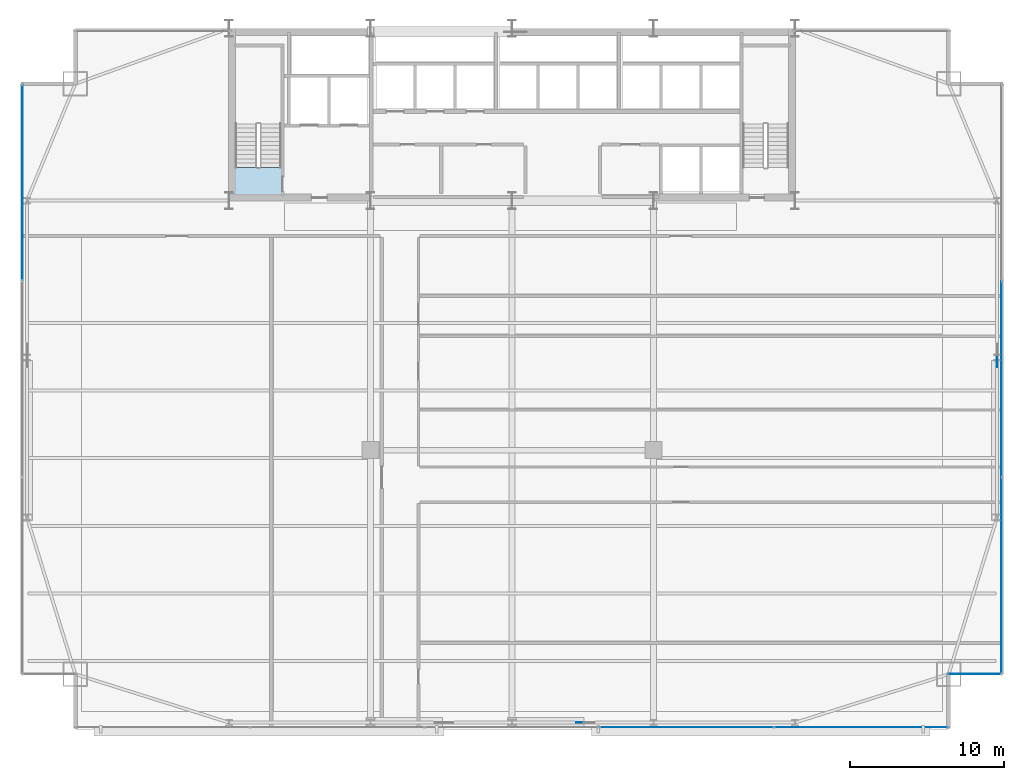
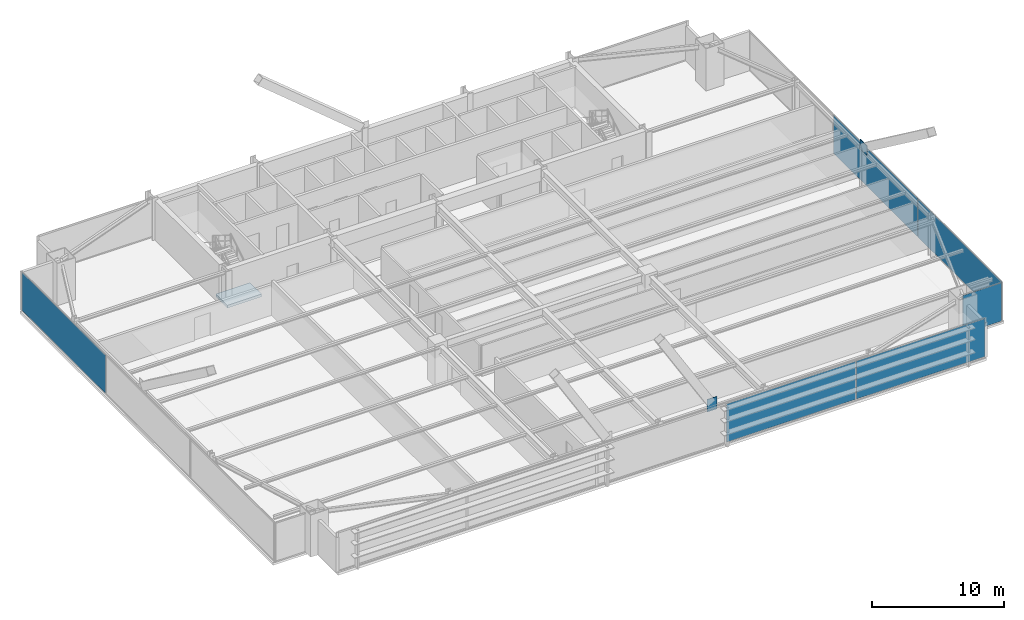
# One storey, part 27 of 35: 8 plates, 1 slab, 4 elements without a shape of their own.
"""IFC4 building model written with IfcOpenShell, lengths in metres."""

from ifc_helpers import new_model, si_unit, direction, frame, origin, origin_2d, place, context, subcontext, project, spatial, polyline, rectangle, outline, extrude, source, transform, mapped, material, layer, layer_set, type_object, type_shapes, element, aggregate, save


model = new_model("IFC4")

# Units and contexts
model_context = context("Model", 3, precision=1e-05, world=origin(), true_north=direction((0.0, 1.0)))
body_context = subcontext(model_context, "Body", "Model", "MODEL_VIEW")
ifc_project = project(units=[si_unit("LENGTHUNIT", "METRE"), si_unit("AREAUNIT", "SQUARE_METRE"), si_unit("VOLUMEUNIT", "CUBIC_METRE"), si_unit("PLANEANGLEUNIT", "RADIAN"), si_unit("MASSUNIT", "GRAM", prefix="KILO")], contexts=[model_context])

# Site, building, storey
site_placement = place(None, origin())
site = spatial("IfcSite", under=ifc_project, at=site_placement, CompositionType="ELEMENT")
building_placement = place(site_placement, origin())
building = spatial("IfcBuilding", under=site, at=building_placement, Name="Varnel Quay Broadcast Tower", CompositionType="ELEMENT")
storey_placement = place(building_placement, frame((0.0, 0.0, 31.5)))
storey = spatial("IfcBuildingStorey", under=building, at=storey_placement, Name="L06", CompositionType="ELEMENT", Elevation=31.5)

# Slab
ifc_material_1 = material(Name="Concrete CSA A23.3 C50/60", Category="concrete")
ifc_layer_1 = layer(ifc_material_1, 0.25, Name="Concrete CSA A23.3 C50/60")
ifc_layer_set_1 = layer_set([ifc_layer_1], Name="Concrete CSA A23.3 C50/60")
slab_type = type_object("IfcSlabType", Name="Slab_StairFloorLanding250", PredefinedType="FLOOR", material=ifc_layer_set_1)
slab_placement = place(storey_placement, frame((0.0, 0.0, -0.25)))
element("IfcSlab", 1, at=slab_placement, inside=storey, type_object=slab_type, Name="L06 ST-01 Structural Floor Landing Slab", PredefinedType="FLOOR", context=body_context, shape_type="SweptSolid", body=[
    extrude(outline(polyline([(19.0, 36.0), (19.0, 37.75), (16.0, 37.75), (16.0, 36.0), (19.0, 36.0)])), origin(), (0.0, 0.0, 1.0), 0.25),
])

# Plates
ifc_material_2 = material(Name="Structural Steel CSA G40.21 350WT", Category="steel")
ifc_layer_2 = layer(ifc_material_2, 0.0400390625, Name="Structural Steel CSA G40.21 350WT")
ifc_layer_set_2 = layer_set([ifc_layer_2], Name="Structural Steel CSA G40.21 350WT")
plate_type_1 = type_object("IfcPlateType", Name="Plate_MegaGusset", PredefinedType="USERDEFINED", material=ifc_layer_set_2)
shared_shape_1 = source(origin(), body_context, "Body", "SweptSolid", [
    extrude(rectangle(XDim=0.8740234375, YDim=0.0400390625, at=origin_2d()), origin(), (0.0, 0.0, 1.0), 1.162109375),
])
plate_1_placement = place(storey_placement, frame((38.60009765625, 1.64990234375, 3.19384765625), z_axis=(0.0, 0.0, 1.0), x_axis=(1.0, 0.0, 0.0)))
element("IfcPlate", 2, at=plate_1_placement, inside=storey, type_object=plate_type_1, Name="Zone 1 Mega-Brace S-C2T1 Central X-Crossing Gusset Plate", ObjectType="GUSSET_PLATE", PredefinedType="USERDEFINED", context=body_context, shape_type="MappedRepresentation", body=[
    mapped(shared_shape_1, transform((0.0, 0.0, 0.0), x_axis=(1.0, 0.0, 0.0), y_axis=(0.0, 1.0, 0.0), z_axis=(0.0, 0.0, 1.0), scale=1.0)),
])
shared_shape_2 = source(origin(), body_context, "Body", "SweptSolid", [
    extrude(rectangle(XDim=1.06689453125, YDim=0.0400390625, at=origin_2d()), origin(), (0.0, 0.0, 1.0), 0.906005859375),
])
type_shapes(plate_type_1, [shared_shape_1, shared_shape_2])
plate_2_placement = place(storey_placement, frame((65.550048828125, 25.300048828125, 3.32177734375), z_axis=(0.0, 0.0, 1.0), x_axis=(0.0, 1.0, 0.0)))
element("IfcPlate", 3, at=plate_2_placement, inside=storey, type_object=plate_type_1, Name="Zone 1 Mega-Brace E-FT1 Central X-Crossing Gusset Plate", ObjectType="GUSSET_PLATE", PredefinedType="USERDEFINED", context=body_context, shape_type="MappedRepresentation", body=[
    mapped(shared_shape_2, transform((0.0, 0.0, 0.0), x_axis=(1.0, 0.0, 0.0), y_axis=(0.0, 1.0, 0.0), z_axis=(0.0, 0.0, 1.0), scale=1.0)),
])

# Curtain wall, plate
ifc_material_3 = material(Name="Anodised Bronze Aluminium 6063-T6", Category="aluminium")
ifc_layer_3 = layer(ifc_material_3, 0.18994140625, Name="Anodised Bronze Aluminium 6063-T6")
ifc_layer_set_3 = layer_set([ifc_layer_3], Name="Anodised Bronze Aluminium 6063-T6")
curtain_wall_type_1 = type_object("IfcCurtainWallType", Name="CW_LowerTower", PredefinedType="NOTDEFINED", material=ifc_layer_set_3)
curtain_wall_1_placement = place(storey_placement, origin())
curtain_wall_1 = element("IfcCurtainWall", 4, at=curtain_wall_1_placement, inside=storey, type_object=curtain_wall_type_1, Name="L06 West Unitised Curtain Wall", PredefinedType="NOTDEFINED")
ifc_material_4 = material(Name="Insulated Bronze Spandrel Glass", Category="glass")
ifc_layer_4 = layer(ifc_material_4, 0.031982421875, Name="Insulated Bronze Spandrel Glass")
ifc_layer_set_4 = layer_set([ifc_layer_4], Name="Insulated Bronze Spandrel Glass")
plate_type_2 = type_object("IfcPlateType", Name="PanelSp_CWS-02", PredefinedType="CURTAIN_PANEL", material=ifc_layer_set_4)
shared_shape_3 = source(origin(), body_context, "Body", "SweptSolid", [
    extrude(rectangle(XDim=12.695068359375, YDim=0.031982421875, at=origin_2d()), origin(), (0.0, 0.0, 1.0), 3.530029296875),
])
plate_3_placement = place(storey_placement, frame((2.14990234375, 36.782470703125, 0.06005859375), z_axis=(0.0, 0.0, 1.0), x_axis=(0.0, 1.0, 0.0)))
plate_3 = element("IfcPlate", 5, at=plate_3_placement, type_object=plate_type_2, Name="CWS-02 panel 3.1", PredefinedType="CURTAIN_PANEL", context=body_context, shape_type="MappedRepresentation", body=[
    mapped(shared_shape_3, transform((0.0, 0.0, 0.0), x_axis=(1.0, 0.0, 0.0), y_axis=(0.0, 1.0, 0.0), z_axis=(0.0, 0.0, 1.0), scale=1.0)),
])
aggregate(curtain_wall_1, [plate_3])

curtain_wall_2_placement = place(storey_placement, origin())
curtain_wall_2 = element("IfcCurtainWall", 6, at=curtain_wall_2_placement, inside=storey, type_object=curtain_wall_type_1, Name="L06 East Unitised Curtain Wall", PredefinedType="NOTDEFINED")
shared_shape_4 = source(origin(), body_context, "Body", "SweptSolid", [
    extrude(rectangle(XDim=12.72998046875, YDim=0.031982421875, at=origin_2d()), origin(), (0.0, 0.0, 1.0), 3.530029296875),
])
plate_4_placement = place(storey_placement, frame((65.85009765625, 24.0, 0.06005859375), z_axis=(0.0, 0.0, 1.0), x_axis=(0.0, 1.0, 0.0)))
plate_4 = element("IfcPlate", 7, at=plate_4_placement, type_object=plate_type_2, Name="CWS-02 panel 2.1", PredefinedType="CURTAIN_PANEL", context=body_context, shape_type="MappedRepresentation", body=[
    mapped(shared_shape_4, transform((0.0, 0.0, 0.0), x_axis=(1.0, 0.0, 0.0), y_axis=(0.0, 1.0, 0.0), z_axis=(0.0, 0.0, 1.0), scale=1.0)),
])

ifc_layer_5 = layer(ifc_material_3, 0.18994140625, Name="Anodised Bronze Aluminium 6063-T6")
ifc_layer_set_5 = layer_set([ifc_layer_5], Name="Anodised Bronze Aluminium 6063-T6")
curtain_wall_type_2 = type_object("IfcCurtainWallType", Name="CW_NotchCorner", PredefinedType="NOTDEFINED", material=ifc_layer_set_5)
curtain_wall_3_placement = place(storey_placement, origin())
curtain_wall_3 = element("IfcCurtainWall", 8, at=curtain_wall_3_placement, inside=storey, type_object=curtain_wall_type_2, Name="L06 SE Notch Curtain Wall", PredefinedType="NOTDEFINED")
ifc_material_5 = material(Name="Triple-Glazed Bronze Low-E Architectural Glass", Category="glass")
ifc_layer_6 = layer(ifc_material_5, 0.028076171875, Name="Triple-Glazed Bronze Low-E Architectural Glass")
ifc_layer_set_6 = layer_set([ifc_layer_6], Name="Triple-Glazed Bronze Low-E Architectural Glass")
plate_type_3 = type_object("IfcPlateType", Name="Panel_CWS-04", PredefinedType="CURTAIN_PANEL", material=ifc_layer_set_6)
shared_shape_5 = source(origin(), body_context, "Body", "SweptSolid", [
    extrude(rectangle(XDim=3.409912109375, YDim=0.028076171875, at=origin_2d()), origin(), (0.0, 0.0, 1.0), 3.5400390625),
])
type_shapes(plate_type_3, [shared_shape_5])
plate_5_placement = place(storey_placement, frame((64.0849609375, 4.800048828125, 0.054931640625), z_axis=(0.0, 0.0, 1.0), x_axis=(1.0, 0.0, 0.0)))
plate_5 = element("IfcPlate", 9, at=plate_5_placement, type_object=plate_type_3, Name="CWS-04 panel 1.1", PredefinedType="CURTAIN_PANEL", context=body_context, shape_type="MappedRepresentation", body=[
    mapped(shared_shape_5, transform((0.0, 0.0, 0.0), x_axis=(1.0, 0.0, 0.0), y_axis=(0.0, 1.0, 0.0), z_axis=(0.0, 0.0, 1.0), scale=1.0)),
])
aggregate(curtain_wall_3, [plate_5])

# Curtain wall, plates
curtain_wall_4_placement = place(storey_placement, origin())
curtain_wall_4 = element("IfcCurtainWall", 10, at=curtain_wall_4_placement, inside=storey, type_object=curtain_wall_type_1, Name="L06 South Unitised Curtain Wall 1", PredefinedType="NOTDEFINED")
ifc_layer_7 = layer(ifc_material_5, 0.031982421875, Name="Triple-Glazed Bronze Low-E Architectural Glass")
ifc_layer_set_7 = layer_set([ifc_layer_7], Name="Triple-Glazed Bronze Low-E Architectural Glass")
plate_type_4 = type_object("IfcPlateType", Name="Panel_CWS-02", PredefinedType="CURTAIN_PANEL", material=ifc_layer_set_7)
shared_shape_6 = source(origin(), body_context, "Body", "SweptSolid", [
    extrude(rectangle(XDim=11.2548828125, YDim=0.031982421875, at=origin_2d()), origin(), (0.0, 0.0, 1.0), 3.530029296875),
])
plate_6_placement = place(storey_placement, frame((56.702392578125, 1.35009765625, 0.06005859375), z_axis=(0.0, 0.0, 1.0), x_axis=(1.0, 0.0, 0.0)))
plate_6 = element("IfcPlate", 11, at=plate_6_placement, type_object=plate_type_4, Name="CWS-02 panel 5.1", PredefinedType="CURTAIN_PANEL", context=body_context, shape_type="MappedRepresentation", body=[
    mapped(shared_shape_6, transform((0.0, 0.0, 0.0), x_axis=(1.0, 0.0, 0.0), y_axis=(0.0, 1.0, 0.0), z_axis=(0.0, 0.0, 1.0), scale=1.0)),
])
shared_shape_7 = source(origin(), body_context, "Body", "SweptSolid", [
    extrude(rectangle(XDim=11.2900390625, YDim=0.031982421875, at=origin_2d()), origin(), (0.0, 0.0, 1.0), 3.530029296875),
])
type_shapes(plate_type_2, [shared_shape_3, shared_shape_4, shared_shape_7])
plate_7_placement = place(storey_placement, frame((45.360107421875, 1.35009765625, 0.06005859375), z_axis=(0.0, 0.0, 1.0), x_axis=(1.0, 0.0, 0.0)))
plate_7 = element("IfcPlate", 12, at=plate_7_placement, type_object=plate_type_2, Name="CWS-02 panel 4.1", PredefinedType="CURTAIN_PANEL", context=body_context, shape_type="MappedRepresentation", body=[
    mapped(shared_shape_7, transform((0.0, 0.0, 0.0), x_axis=(1.0, 0.0, 0.0), y_axis=(0.0, 1.0, 0.0), z_axis=(0.0, 0.0, 1.0), scale=1.0)),
])
aggregate(curtain_wall_4, [plate_7, plate_6])

# Plate
shared_shape_8 = source(origin(), body_context, "Body", "SweptSolid", [
    extrude(rectangle(XDim=12.695068359375, YDim=0.031982421875, at=origin_2d()), origin(), (0.0, 0.0, 1.0), 3.530029296875),
])
type_shapes(plate_type_4, [shared_shape_6, shared_shape_8])
plate_8_placement = place(storey_placement, frame((65.85009765625, 11.217529296875, 0.06005859375), z_axis=(0.0, 0.0, 1.0), x_axis=(0.0, 1.0, 0.0)))
plate_8 = element("IfcPlate", 13, at=plate_8_placement, type_object=plate_type_4, Name="CWS-02 panel 1.1", PredefinedType="CURTAIN_PANEL", context=body_context, shape_type="MappedRepresentation", body=[
    mapped(shared_shape_8, transform((0.0, 0.0, 0.0), x_axis=(1.0, 0.0, 0.0), y_axis=(0.0, 1.0, 0.0), z_axis=(0.0, 0.0, 1.0), scale=1.0)),
])

aggregate(curtain_wall_2, [plate_8, plate_4])

save(model, "model.ifc")
